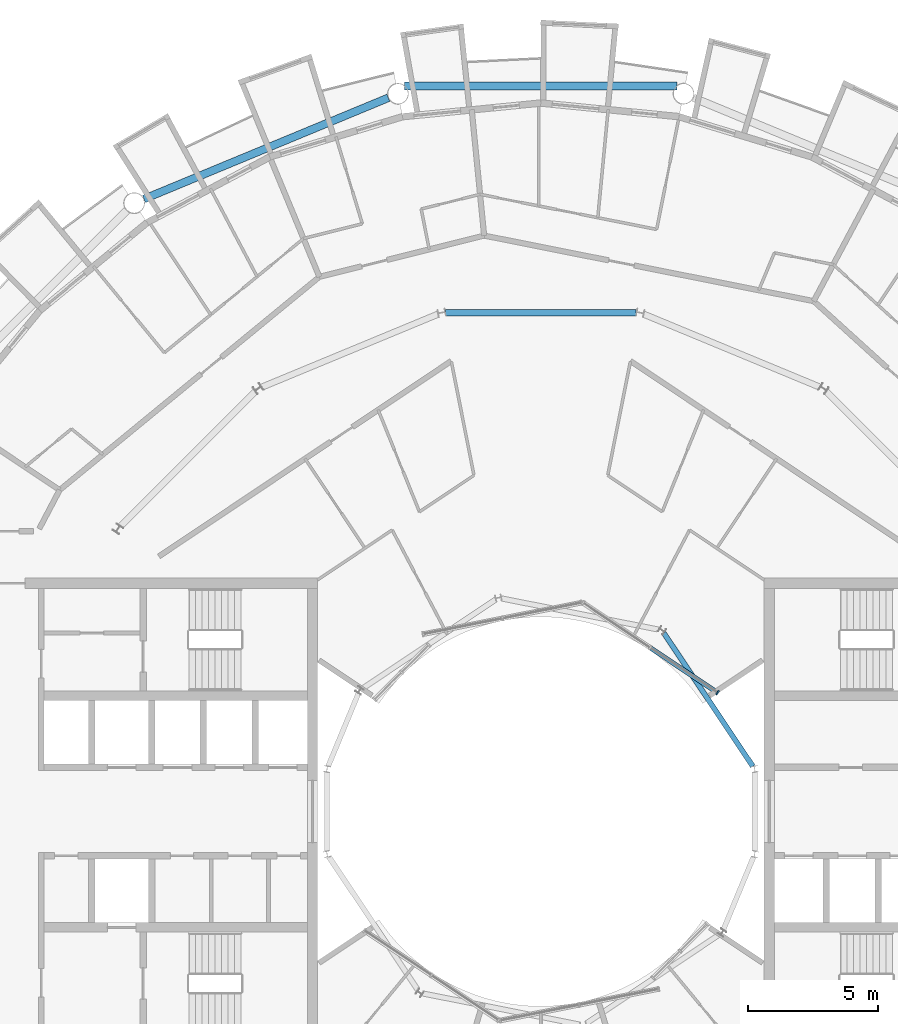
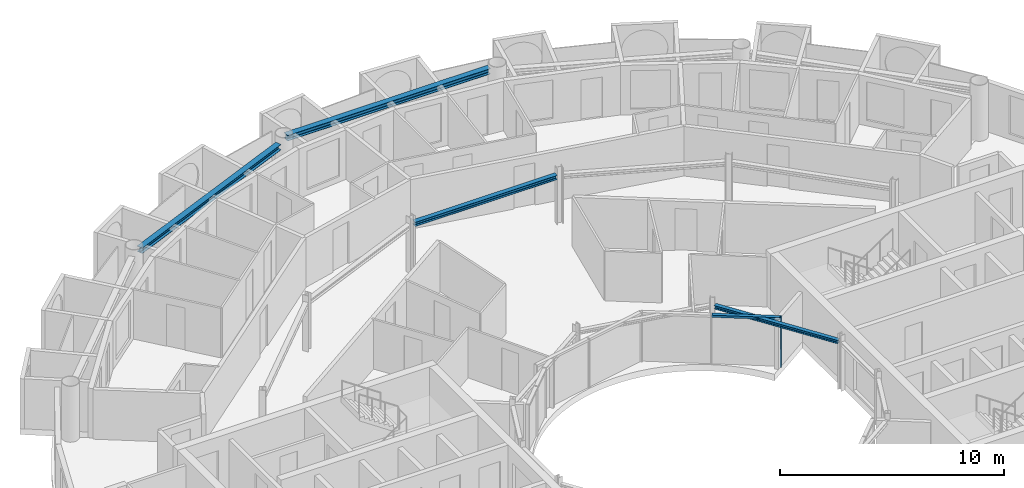
# One storey, part 10 of 28: 4 beams, 2 members, 1 element without a shape of its own.
"""IFC4 building model written with IfcOpenShell, lengths in metres."""

from ifc_helpers import new_model, si_unit, direction, frame, origin, origin_2d, place, context, subcontext, project, spatial, rectangle, i_section, extrude, material, layer, layer_set, material_profile, profile_set, type_object, element, aggregate, save


model = new_model("IFC4")

# Units and contexts
model_context = context("Model", 3, precision=1e-05, world=origin(), true_north=direction((0.0, 1.0)))
body_context = subcontext(model_context, "Body", "Model", "MODEL_VIEW")
ifc_project = project(units=[si_unit("LENGTHUNIT", "METRE"), si_unit("AREAUNIT", "SQUARE_METRE"), si_unit("VOLUMEUNIT", "CUBIC_METRE"), si_unit("PLANEANGLEUNIT", "RADIAN"), si_unit("MASSUNIT", "GRAM", prefix="KILO")], contexts=[model_context])

# Site, building, storey
site_placement = place(None, origin())
site = spatial("IfcSite", under=ifc_project, at=site_placement, CompositionType="ELEMENT")
building_placement = place(site_placement, origin())
building = spatial("IfcBuilding", under=site, at=building_placement, Name="Maasbend Ring Residences", CompositionType="ELEMENT")
storey_placement = place(building_placement, frame((0.0, 0.0, 227.949951171875)))
storey = spatial("IfcBuildingStorey", under=building, at=storey_placement, Name="L65", CompositionType="ELEMENT", Elevation=227.949951171875)

# Curtain wall, members
ifc_material_1 = material(Name="Aluminium and clear glass", Category="aluminium")
ifc_layer = layer(ifc_material_1, 0.179931640625)
ifc_layer_set = layer_set([ifc_layer], Name="CW-W")
curtain_wall_type = type_object("IfcCurtainWallType", Name="CW-W", PredefinedType="NOTDEFINED", material=ifc_layer_set)
curtain_wall_placement = place(storey_placement, origin())
curtain_wall = element("IfcCurtainWall", 1, at=curtain_wall_placement, inside=storey, type_object=curtain_wall_type, Name="Well curtain wall N1", PredefinedType="NOTDEFINED")
ifc_material_2 = material(Name="Aluminium 6063-T6", Category="aluminium")
ifc_material_profile_1 = material_profile(ifc_material_2, rectangle(XDim=0.179931640625, YDim=0.06005859375, at=origin_2d()), Name="AL 180x60")
ifc_profile_set_1 = profile_set([ifc_material_profile_1], Name="Aluminium 6063-T6")
member_type_1 = type_object("IfcMemberType", Name="CWM-W", PredefinedType="MULLION", material=ifc_profile_set_1)
member_1_placement = place(storey_placement, frame((6.805908203125, 4.580810546875, 0.0), z_axis=(0.0, 0.0, 1.0), x_axis=(-0.55557023302, -0.831469612303, 0.0)))
member_1 = element("IfcMember", 2, at=member_1_placement, type_object=member_type_1, Name="Mullion well face", PredefinedType="MULLION", context=body_context, shape_type="SweptSolid", body=[
    extrude(rectangle(XDim=0.179931640625, YDim=0.06005859375, at=origin_2d()), origin(), (0.0, 0.0, 1.0), 2.699951171875),
])
ifc_material_3 = material(Name="Aluminium 6063-T6", Category="aluminium")
ifc_material_profile_2 = material_profile(ifc_material_3, rectangle(XDim=0.179931640625, YDim=0.1201171875, at=origin_2d()), Name="AL 180x120")
ifc_profile_set_2 = profile_set([ifc_material_profile_2], Name="Aluminium 6063-T6")
member_type_2 = type_object("IfcMemberType", Name="CWT-W", PredefinedType="USERDEFINED", material=ifc_profile_set_2)
member_2_placement = place(storey_placement, frame((6.781005859375, 4.59765625, 2.64013671875), z_axis=(-0.831496422459, 0.555530106689, 0.0), x_axis=(-0.555530106689, -0.831496422459, 0.0)))
member_2 = element("IfcMember", 3, at=member_2_placement, type_object=member_type_2, Name="Transom well face", ObjectType="TRANSOM", PredefinedType="USERDEFINED", context=body_context, shape_type="SweptSolid", body=[
    extrude(rectangle(XDim=0.179931640625, YDim=0.1201171875, at=origin_2d()), origin(), (0.0, 0.0, 1.0), 3.053955078125),
])
aggregate(curtain_wall, [member_1, member_2])

# Beams
ifc_material_4 = material(Name="Steel S355J2", Category="steel")
ifc_material_profile_3 = material_profile(ifc_material_4, i_section(OverallWidth=0.239990234375, OverallDepth=0.22998046875, WebThickness=0.007568359375, FlangeThickness=0.011962890625, FilletRadius=0.02099609375, at=origin_2d()), Name="HEA 240")
ifc_profile_set_3 = profile_set([ifc_material_profile_3], Name="Steel S355J2")
beam_type_1 = type_object("IfcBeamType", Name="Corridor ring beam HEA 240", PredefinedType="BEAM", material=ifc_profile_set_3)
beam_1_placement = place(storey_placement, frame((3.6708984375, 19.223388671875, 2.5849609375), z_axis=(-1.0, 0.0, 0.0), x_axis=(0.0, -1.0, 0.0)))
element("IfcBeam", 4, at=beam_1_placement, inside=storey, type_object=beam_type_1, Name="Corridor ring beam", PredefinedType="BEAM", context=body_context, shape_type="SweptSolid", body=[
    extrude(i_section(OverallWidth=0.239990234375, OverallDepth=0.22998046875, WebThickness=0.007568359375, FlangeThickness=0.011962890625, FilletRadius=0.02099609375, at=origin_2d()), origin(), (0.0, 0.0, 1.0), 7.341796875),
])
ifc_material_5 = material(Name="Steel S355J2", Category="steel")
ifc_material_profile_4 = material_profile(ifc_material_5, i_section(OverallWidth=0.300048828125, OverallDepth=0.300048828125, WebThickness=0.010986328125, FlangeThickness=0.01904296875, FilletRadius=0.027099609375, at=origin_2d()), Name="HEB 300")
ifc_profile_set_4 = profile_set([ifc_material_profile_4], Name="Steel S355J2")
beam_type_2 = type_object("IfcBeamType", Name="Spandrel ring beam HEB 300", PredefinedType="SPANDREL", material=ifc_profile_set_4)
beam_2_placement = place(storey_placement, frame((5.2451171875, 27.9580078125, 2.550048828125), z_axis=(-1.0, 0.0, 0.0), x_axis=(0.0, -1.0, 0.0)))
element("IfcBeam", 5, at=beam_2_placement, inside=storey, type_object=beam_type_2, Name="Spandrel ring beam", PredefinedType="SPANDREL", context=body_context, shape_type="SweptSolid", body=[
    extrude(i_section(OverallWidth=0.300048828125, OverallDepth=0.300048828125, WebThickness=0.010986328125, FlangeThickness=0.01904296875, FilletRadius=0.027099609375, at=origin_2d()), origin(), (0.0, 0.0, 1.0), 10.490234375),
])
beam_3_placement = place(storey_placement, frame((-5.877197265625, 27.50244140625, 2.550048828125), z_axis=(-0.923883676188, -0.382673428492, 0.0), x_axis=(0.382673428492, -0.923883676188, 0.0)))
element("IfcBeam", 6, at=beam_3_placement, inside=storey, type_object=beam_type_2, Name="Spandrel ring beam", PredefinedType="SPANDREL", context=body_context, shape_type="SweptSolid", body=[
    extrude(i_section(OverallWidth=0.300048828125, OverallDepth=0.300048828125, WebThickness=0.010986328125, FlangeThickness=0.01904296875, FilletRadius=0.027099609375, at=origin_2d()), origin(), (0.0, 0.0, 1.0), 10.18994140625),
])
ifc_material_6 = material(Name="Steel S355J2", Category="steel")
ifc_material_profile_5 = material_profile(ifc_material_6, i_section(OverallWidth=0.199951171875, OverallDepth=0.18994140625, WebThickness=0.006591796875, FlangeThickness=0.010009765625, FilletRadius=0.01806640625, at=origin_2d()), Name="HEA 200")
ifc_profile_set_5 = profile_set([ifc_material_profile_5], Name="Steel S355J2")
beam_type_3 = type_object("IfcBeamType", Name="Well edge beam HEA 200", PredefinedType="BEAM", material=ifc_profile_set_5)
beam_4_placement = place(storey_placement, frame((8.16943359375, 1.7421875, 2.60498046875), z_axis=(-0.555547729421, 0.831484648286, 0.0), x_axis=(-0.831484648286, -0.555547729421, 0.0)))
element("IfcBeam", 7, at=beam_4_placement, inside=storey, type_object=beam_type_3, Name="Well edge beam", PredefinedType="BEAM", context=body_context, shape_type="SweptSolid", body=[
    extrude(i_section(OverallWidth=0.199951171875, OverallDepth=0.18994140625, WebThickness=0.006591796875, FlangeThickness=0.010009765625, FilletRadius=0.01806640625, at=origin_2d()), origin(), (0.0, 0.0, 1.0), 6.18017578125),
])

save(model, "model.ifc")
